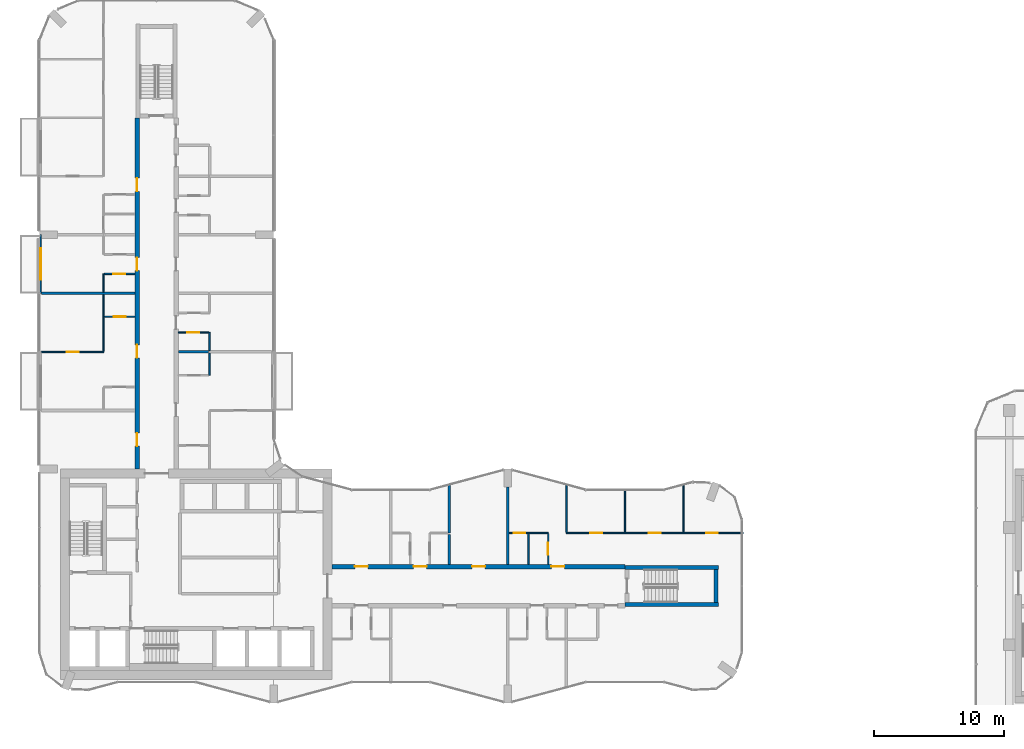
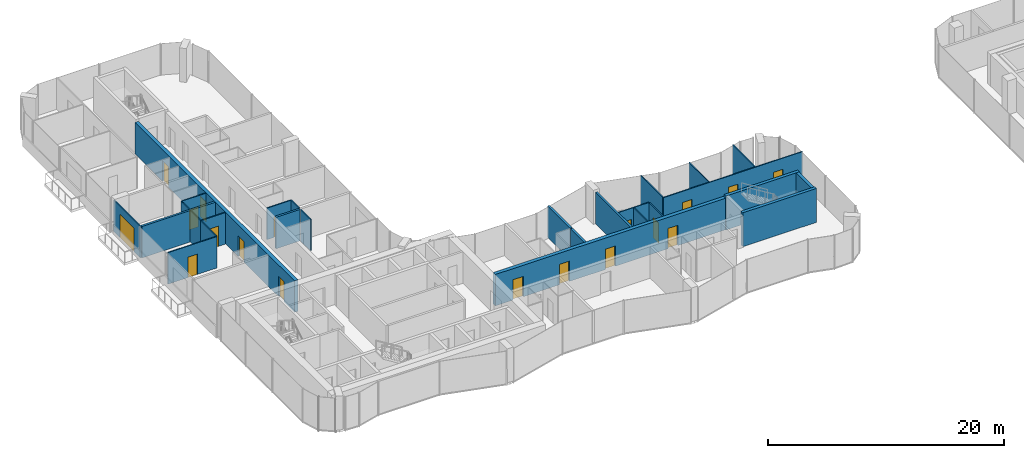
# One storey, part 15 of 22: 27 walls, 18 doors, 18 openings.
"""IFC4 building model written with IfcOpenShell, lengths in metres."""

from ifc_helpers import new_model, si_unit, direction, frame, frame_2d, origin, place, context, subcontext, project, spatial, rectangle, extrude, material, layer, layer_set, type_object, element, fill, save


model = new_model("IFC4")

# Units and contexts
model_context = context("Model", 3, precision=1e-05, world=origin(), true_north=direction((0.0, 1.0)))
body_context = subcontext(model_context, "Body", "Model", "MODEL_VIEW")
ifc_project = project(units=[si_unit("LENGTHUNIT", "METRE"), si_unit("AREAUNIT", "SQUARE_METRE"), si_unit("VOLUMEUNIT", "CUBIC_METRE"), si_unit("PLANEANGLEUNIT", "RADIAN"), si_unit("MASSUNIT", "GRAM", prefix="KILO")], contexts=[model_context])

# Site, building, storey
site_placement = place(None, origin())
site = spatial("IfcSite", under=ifc_project, at=site_placement, CompositionType="ELEMENT")
building_placement = place(site_placement, origin())
building = spatial("IfcBuilding", under=site, at=building_placement, Name="Plateau Cross Towers", CompositionType="ELEMENT")
storey_placement = place(building_placement, frame((0.0, 0.0, 61.800048828125)))
storey = spatial("IfcBuildingStorey", under=building, at=storey_placement, Name="L15", CompositionType="ELEMENT", Elevation=61.800048828125)

# Wall, opening, door
ifc_material_1 = material(Name="Aluminium framed glazing", Category="aluminium")
ifc_layer_1 = layer(ifc_material_1, 0.10009765625)
ifc_layer_set_1 = layer_set([ifc_layer_1], Name="Aluminium framed glazing")
wall_type_1 = type_object("IfcWallType", Name="Balcony screen wall 100", PredefinedType="STANDARD", material=ifc_layer_set_1)
wall_1_placement = place(storey_placement, frame((0.10009765625, 31.5, 0.0), z_axis=(0.0, 0.0, 1.0), x_axis=(0.0, 1.0, 0.0)))
wall_1 = element("IfcWall", 1, at=wall_1_placement, inside=storey, type_object=wall_type_1, Name="Balcony screen wall A-BAL-L15-02", PredefinedType="STANDARD", context=body_context, shape_type="SweptSolid", body=[
    extrude(rectangle(XDim=4.5, YDim=0.10009765625, at=frame_2d((2.25, 0.0))), origin(), (0.0, 0.0, 1.0), 3.25),
])
opening_1_placement = place(wall_1_placement, frame((1.050048828125, 0.0, 0.0)))
opening_1 = element("IfcOpeningElement", 2, at=opening_1_placement, cuts=wall_1, Name="Opening D-B24", PredefinedType="OPENING", context=body_context, shape_type="SweptSolid", body=[
    extrude(rectangle(XDim=2.39990234375, YDim=2.39990234375, at=frame_2d((1.199951171875, 1.199951171875))), frame((0.0, 0.06005859375, 0.0), z_axis=(0.0, -1.0, 0.0), x_axis=(1.0, 0.0, 0.0)), (0.0, 0.0, 1.0), 0.1201171875),
])
ifc_material_2 = material(Name="Aluminium frame, double glazing", Category="aluminium")
door_type_1 = type_object("IfcDoorType", Name="Balcony sliding door 2400", OperationType="NOTDEFINED", PredefinedType="DOOR", material=ifc_material_2)
door_1_placement = place(opening_1_placement, origin())
door_1 = element("IfcDoor", 3, at=door_1_placement, inside=storey, type_object=door_type_1, Name="Balcony door A-BAL-L15-02", OperationType="SINGLE_SWING_LEFT", OverallHeight=2.39990234375, OverallWidth=2.39990234375, PredefinedType="DOOR", context=body_context, shape_type="SweptSolid", body=[
    extrude(rectangle(XDim=2.39990234375, YDim=2.39990234375, at=frame_2d((1.199951171875, 1.199951171875))), frame((0.0, 0.02490234375, 0.0), z_axis=(0.0, -1.0, 0.0), x_axis=(1.0, 0.0, 0.0)), (0.0, 0.0, 1.0), 0.050048828125),
])
fill(opening_1, door_1)

# Wall, openings, doors
ifc_material_3 = material(Name="Concrete C60/75", Category="concrete")
ifc_layer_2 = layer(ifc_material_3, 0.35009765625)
ifc_layer_set_2 = layer_set([ifc_layer_2], Name="Concrete C60/75")
wall_type_2 = type_object("IfcWallType", Name="Corridor wall 350", PredefinedType="SHEAR", material=ifc_layer_set_2)
wall_2_placement = place(storey_placement, frame((22.5, 10.5, 0.0), z_axis=(0.0, 0.0, 1.0), x_axis=(1.0, 0.0, 0.0)))
wall_2 = element("IfcWall", 4, at=wall_2_placement, inside=storey, type_object=wall_type_2, Name="A-cw-S2@L15", PredefinedType="SHEAR", context=body_context, shape_type="SweptSolid", body=[
    extrude(rectangle(XDim=22.5, YDim=0.35009765625, at=frame_2d((11.25, 0.0))), origin(), (0.0, 0.0, 1.0), 3.25),
])
opening_2_placement = place(wall_2_placement, frame((1.75, 0.0, 0.0)))
opening_2 = element("IfcOpeningElement", 5, at=opening_2_placement, cuts=wall_2, Name="Opening 15-06", PredefinedType="OPENING", context=body_context, shape_type="SweptSolid", body=[
    extrude(rectangle(XDim=1.0, YDim=2.10009765625, at=frame_2d((0.5, 1.050048828125))), frame((0.0, 0.18505859375, 0.0), z_axis=(0.0, -1.0, 0.0), x_axis=(1.0, 0.0, 0.0)), (0.0, 0.0, 1.0), 0.3701171875),
])
opening_3_placement = place(wall_2_placement, frame((6.25, 0.0, 0.0)))
opening_3 = element("IfcOpeningElement", 6, at=opening_3_placement, cuts=wall_2, Name="Opening 15-07", PredefinedType="OPENING", context=body_context, shape_type="SweptSolid", body=[
    extrude(rectangle(XDim=1.0, YDim=2.10009765625, at=frame_2d((0.5, 1.050048828125))), frame((0.0, 0.18505859375, 0.0), z_axis=(0.0, -1.0, 0.0), x_axis=(1.0, 0.0, 0.0)), (0.0, 0.0, 1.0), 0.3701171875),
])
opening_4_placement = place(wall_2_placement, frame((10.75, 0.0, 0.0)))
opening_4 = element("IfcOpeningElement", 7, at=opening_4_placement, cuts=wall_2, Name="Opening 15-08", PredefinedType="OPENING", context=body_context, shape_type="SweptSolid", body=[
    extrude(rectangle(XDim=1.0, YDim=2.10009765625, at=frame_2d((0.5, 1.050048828125))), frame((0.0, 0.18505859375, 0.0), z_axis=(0.0, -1.0, 0.0), x_axis=(1.0, 0.0, 0.0)), (0.0, 0.0, 1.0), 0.3701171875),
])
opening_5_placement = place(wall_2_placement, frame((16.85009765625, 0.0, 0.0)))
opening_5 = element("IfcOpeningElement", 8, at=opening_5_placement, cuts=wall_2, Name="Opening 15-09", PredefinedType="OPENING", context=body_context, shape_type="SweptSolid", body=[
    extrude(rectangle(XDim=1.0, YDim=2.10009765625, at=frame_2d((0.5, 1.050048828125))), frame((0.0, 0.18505859375, 0.0), z_axis=(0.0, -1.0, 0.0), x_axis=(1.0, 0.0, 0.0)), (0.0, 0.0, 1.0), 0.3701171875),
])
ifc_material_4 = material(Name="Timber, fire-resisting leaf", Category="wood")
door_type_2 = type_object("IfcDoorType", Name="Flat entrance door 1000", OperationType="NOTDEFINED", PredefinedType="DOOR", material=ifc_material_4)
door_2_placement = place(opening_2_placement, origin())
door_2 = element("IfcDoor", 9, at=door_2_placement, inside=storey, type_object=door_type_2, Name="Door 15-06", OperationType="SINGLE_SWING_LEFT", OverallHeight=2.10009765625, OverallWidth=1.0, PredefinedType="DOOR", context=body_context, shape_type="SweptSolid", body=[
    extrude(rectangle(XDim=1.0, YDim=2.10009765625, at=frame_2d((0.5, 1.050048828125))), frame((0.0, 0.02490234375, 0.0), z_axis=(0.0, -1.0, 0.0), x_axis=(1.0, 0.0, 0.0)), (0.0, 0.0, 1.0), 0.050048828125),
])
fill(opening_2, door_2)
door_3_placement = place(opening_3_placement, origin())
door_3 = element("IfcDoor", 10, at=door_3_placement, inside=storey, type_object=door_type_2, Name="Door 15-07", OperationType="SINGLE_SWING_LEFT", OverallHeight=2.10009765625, OverallWidth=1.0, PredefinedType="DOOR", context=body_context, shape_type="SweptSolid", body=[
    extrude(rectangle(XDim=1.0, YDim=2.10009765625, at=frame_2d((0.5, 1.050048828125))), frame((0.0, 0.02490234375, 0.0), z_axis=(0.0, -1.0, 0.0), x_axis=(1.0, 0.0, 0.0)), (0.0, 0.0, 1.0), 0.050048828125),
])
fill(opening_3, door_3)
door_4_placement = place(opening_4_placement, origin())
door_4 = element("IfcDoor", 11, at=door_4_placement, inside=storey, type_object=door_type_2, Name="Door 15-08", OperationType="SINGLE_SWING_LEFT", OverallHeight=2.10009765625, OverallWidth=1.0, PredefinedType="DOOR", context=body_context, shape_type="SweptSolid", body=[
    extrude(rectangle(XDim=1.0, YDim=2.10009765625, at=frame_2d((0.5, 1.050048828125))), frame((0.0, 0.02490234375, 0.0), z_axis=(0.0, -1.0, 0.0), x_axis=(1.0, 0.0, 0.0)), (0.0, 0.0, 1.0), 0.050048828125),
])
fill(opening_4, door_4)
door_5_placement = place(opening_5_placement, origin())
door_5 = element("IfcDoor", 12, at=door_5_placement, inside=storey, type_object=door_type_2, Name="Door 15-09", OperationType="SINGLE_SWING_RIGHT", OverallHeight=2.10009765625, OverallWidth=1.0, PredefinedType="DOOR", context=body_context, shape_type="SweptSolid", body=[
    extrude(rectangle(XDim=1.0, YDim=2.10009765625, at=frame_2d((0.5, 1.050048828125))), frame((0.0, 0.02490234375, 0.0), z_axis=(0.0, -1.0, 0.0), x_axis=(1.0, 0.0, 0.0)), (0.0, 0.0, 1.0), 0.050048828125),
])
fill(opening_5, door_5)

wall_3_placement = place(storey_placement, frame((7.5, 18.0, 0.0), z_axis=(0.0, 0.0, 1.0), x_axis=(0.0, 1.0, 0.0)))
wall_3 = element("IfcWall", 13, at=wall_3_placement, inside=storey, type_object=wall_type_2, Name="A-cw-W1@L15", PredefinedType="SHEAR", context=body_context, shape_type="SweptSolid", body=[
    extrude(rectangle(XDim=27.0, YDim=0.35009765625, at=frame_2d((13.5, 0.0))), origin(), (0.0, 0.0, 1.0), 3.25),
])
opening_6_placement = place(wall_3_placement, frame((1.75, 0.0, 0.0)))
opening_6 = element("IfcOpeningElement", 14, at=opening_6_placement, cuts=wall_3, Name="Opening 15-10", PredefinedType="OPENING", context=body_context, shape_type="SweptSolid", body=[
    extrude(rectangle(XDim=1.0, YDim=2.10009765625, at=frame_2d((0.5, 1.050048828125))), frame((0.0, 0.18505859375, 0.0), z_axis=(0.0, -1.0, 0.0), x_axis=(1.0, 0.0, 0.0)), (0.0, 0.0, 1.0), 0.3701171875),
])
opening_7_placement = place(wall_3_placement, frame((8.550048828125, 0.0, 0.0)))
opening_7 = element("IfcOpeningElement", 15, at=opening_7_placement, cuts=wall_3, Name="Opening 15-11", PredefinedType="OPENING", context=body_context, shape_type="SweptSolid", body=[
    extrude(rectangle(XDim=1.0, YDim=2.10009765625, at=frame_2d((0.5, 1.050048828125))), frame((0.0, 0.18505859375, 0.0), z_axis=(0.0, -1.0, 0.0), x_axis=(1.0, 0.0, 0.0)), (0.0, 0.0, 1.0), 0.3701171875),
])
opening_8_placement = place(wall_3_placement, frame((15.25, 0.0, 0.0)))
opening_8 = element("IfcOpeningElement", 16, at=opening_8_placement, cuts=wall_3, Name="Opening 15-12", PredefinedType="OPENING", context=body_context, shape_type="SweptSolid", body=[
    extrude(rectangle(XDim=1.0, YDim=2.10009765625, at=frame_2d((0.5, 1.050048828125))), frame((0.0, 0.18505859375, 0.0), z_axis=(0.0, -1.0, 0.0), x_axis=(1.0, 0.0, 0.0)), (0.0, 0.0, 1.0), 0.3701171875),
])
opening_9_placement = place(wall_3_placement, frame((21.35009765625, 0.0, 0.0)))
opening_9 = element("IfcOpeningElement", 17, at=opening_9_placement, cuts=wall_3, Name="Opening 15-13", PredefinedType="OPENING", context=body_context, shape_type="SweptSolid", body=[
    extrude(rectangle(XDim=1.0, YDim=2.10009765625, at=frame_2d((0.5, 1.050048828125))), frame((0.0, 0.18505859375, 0.0), z_axis=(0.0, -1.0, 0.0), x_axis=(1.0, 0.0, 0.0)), (0.0, 0.0, 1.0), 0.3701171875),
])
door_6_placement = place(opening_6_placement, origin())
door_6 = element("IfcDoor", 18, at=door_6_placement, inside=storey, type_object=door_type_2, Name="Door 15-10", OperationType="SINGLE_SWING_LEFT", OverallHeight=2.10009765625, OverallWidth=1.0, PredefinedType="DOOR", context=body_context, shape_type="SweptSolid", body=[
    extrude(rectangle(XDim=1.0, YDim=2.10009765625, at=frame_2d((0.5, 1.050048828125))), frame((0.0, 0.02490234375, 0.0), z_axis=(0.0, -1.0, 0.0), x_axis=(1.0, 0.0, 0.0)), (0.0, 0.0, 1.0), 0.050048828125),
])
fill(opening_6, door_6)
door_7_placement = place(opening_7_placement, origin())
door_7 = element("IfcDoor", 19, at=door_7_placement, inside=storey, type_object=door_type_2, Name="Door 15-11", OperationType="SINGLE_SWING_LEFT", OverallHeight=2.10009765625, OverallWidth=1.0, PredefinedType="DOOR", context=body_context, shape_type="SweptSolid", body=[
    extrude(rectangle(XDim=1.0, YDim=2.10009765625, at=frame_2d((0.5, 1.050048828125))), frame((0.0, 0.02490234375, 0.0), z_axis=(0.0, -1.0, 0.0), x_axis=(1.0, 0.0, 0.0)), (0.0, 0.0, 1.0), 0.050048828125),
])
fill(opening_7, door_7)
door_8_placement = place(opening_8_placement, origin())
door_8 = element("IfcDoor", 20, at=door_8_placement, inside=storey, type_object=door_type_2, Name="Door 15-12", OperationType="SINGLE_SWING_RIGHT", OverallHeight=2.10009765625, OverallWidth=1.0, PredefinedType="DOOR", context=body_context, shape_type="SweptSolid", body=[
    extrude(rectangle(XDim=1.0, YDim=2.10009765625, at=frame_2d((0.5, 1.050048828125))), frame((0.0, 0.02490234375, 0.0), z_axis=(0.0, -1.0, 0.0), x_axis=(1.0, 0.0, 0.0)), (0.0, 0.0, 1.0), 0.050048828125),
])
fill(opening_8, door_8)
door_9_placement = place(opening_9_placement, origin())
door_9 = element("IfcDoor", 21, at=door_9_placement, inside=storey, type_object=door_type_2, Name="Door 15-13", OperationType="SINGLE_SWING_RIGHT", OverallHeight=2.10009765625, OverallWidth=1.0, PredefinedType="DOOR", context=body_context, shape_type="SweptSolid", body=[
    extrude(rectangle(XDim=1.0, YDim=2.10009765625, at=frame_2d((0.5, 1.050048828125))), frame((0.0, 0.02490234375, 0.0), z_axis=(0.0, -1.0, 0.0), x_axis=(1.0, 0.0, 0.0)), (0.0, 0.0, 1.0), 0.050048828125),
])
fill(opening_9, door_9)

# Wall, opening, door
ifc_material_5 = material(Name="Gypsum board on steel studs", Category="steel")
ifc_layer_3 = layer(ifc_material_5, 0.10009765625)
ifc_layer_set_3 = layer_set([ifc_layer_3], Name="Gypsum board on steel studs")
wall_type_3 = type_object("IfcWallType", Name="Flat partition 100", PredefinedType="PARTITIONING", material=ifc_layer_set_3)
wall_4_placement = place(storey_placement, frame((39.10009765625, 13.074951171875, 0.0), z_axis=(0.0, 0.0, 1.0), x_axis=(-1.0, 0.0, 0.0)))
wall_4 = element("IfcWall", 22, at=wall_4_placement, inside=storey, type_object=wall_type_3, Name="Partition wall", PredefinedType="PARTITIONING", context=body_context, shape_type="SweptSolid", body=[
    extrude(rectangle(XDim=3.0, YDim=0.10009765625, at=frame_2d((1.5, 0.0))), origin(), (0.0, 0.0, 1.0), 3.25),
])
opening_10_placement = place(wall_4_placement, frame((1.75, 0.0, 0.0)))
opening_10 = element("IfcOpeningElement", 23, at=opening_10_placement, cuts=wall_4, Name="Opening 15-26", PredefinedType="OPENING", context=body_context, shape_type="SweptSolid", body=[
    extrude(rectangle(XDim=0.89990234375, YDim=2.10009765625, at=frame_2d((0.449951171875, 1.050048828125))), frame((0.0, 0.06005859375, 0.0), z_axis=(0.0, -1.0, 0.0), x_axis=(1.0, 0.0, 0.0)), (0.0, 0.0, 1.0), 0.1201171875),
])
ifc_material_6 = material(Name="Timber leaf", Category="wood")
door_type_3 = type_object("IfcDoorType", Name="Flat room door 900", OperationType="NOTDEFINED", PredefinedType="DOOR", material=ifc_material_6)
door_10_placement = place(opening_10_placement, origin())
door_10 = element("IfcDoor", 24, at=door_10_placement, inside=storey, type_object=door_type_3, Name="Door 15-26", OperationType="SINGLE_SWING_RIGHT", OverallHeight=2.10009765625, OverallWidth=0.89990234375, PredefinedType="DOOR", context=body_context, shape_type="SweptSolid", body=[
    extrude(rectangle(XDim=0.89990234375, YDim=2.10009765625, at=frame_2d((0.449951171875, 1.050048828125))), frame((0.0, 0.02490234375, 0.0), z_axis=(0.0, -1.0, 0.0), x_axis=(1.0, 0.0, 0.0)), (0.0, 0.0, 1.0), 0.050048828125),
])
fill(opening_10, door_10)

# Wall, openings, doors
wall_5_placement = place(storey_placement, frame((40.5, 13.074951171875, 0.0), z_axis=(0.0, 0.0, 1.0), x_axis=(1.0, 0.0, 0.0)))
wall_5 = element("IfcWall", 25, at=wall_5_placement, inside=storey, type_object=wall_type_3, Name="Partition wall", PredefinedType="PARTITIONING", context=body_context, shape_type="SweptSolid", body=[
    extrude(rectangle(XDim=13.580078125, YDim=0.10009765625, at=frame_2d((6.7900390625, 0.0))), origin(), (0.0, 0.0, 1.0), 3.25),
])
opening_11_placement = place(wall_5_placement, frame((1.85009765625, 0.0, 0.0)))
opening_11 = element("IfcOpeningElement", 26, at=opening_11_placement, cuts=wall_5, Name="Opening 15-28", PredefinedType="OPENING", context=body_context, shape_type="SweptSolid", body=[
    extrude(rectangle(XDim=0.89990234375, YDim=2.10009765625, at=frame_2d((0.449951171875, 1.050048828125))), frame((0.0, 0.06005859375, 0.0), z_axis=(0.0, -1.0, 0.0), x_axis=(1.0, 0.0, 0.0)), (0.0, 0.0, 1.0), 0.1201171875),
])
opening_12_placement = place(wall_5_placement, frame((6.35009765625, 0.0, 0.0)))
opening_12 = element("IfcOpeningElement", 27, at=opening_12_placement, cuts=wall_5, Name="Opening 15-29", PredefinedType="OPENING", context=body_context, shape_type="SweptSolid", body=[
    extrude(rectangle(XDim=0.89990234375, YDim=2.10009765625, at=frame_2d((0.449951171875, 1.050048828125))), frame((0.0, 0.06005859375, 0.0), z_axis=(0.0, -1.0, 0.0), x_axis=(1.0, 0.0, 0.0)), (0.0, 0.0, 1.0), 0.1201171875),
])
opening_13_placement = place(wall_5_placement, frame((10.75, 0.0, 0.0)))
opening_13 = element("IfcOpeningElement", 28, at=opening_13_placement, cuts=wall_5, Name="Opening 15-30", PredefinedType="OPENING", context=body_context, shape_type="SweptSolid", body=[
    extrude(rectangle(XDim=0.89990234375, YDim=2.10009765625, at=frame_2d((0.449951171875, 1.050048828125))), frame((0.0, 0.06005859375, 0.0), z_axis=(0.0, -1.0, 0.0), x_axis=(1.0, 0.0, 0.0)), (0.0, 0.0, 1.0), 0.1201171875),
])
door_11_placement = place(opening_11_placement, origin())
door_11 = element("IfcDoor", 29, at=door_11_placement, inside=storey, type_object=door_type_3, Name="Door 15-28", OperationType="SINGLE_SWING_LEFT", OverallHeight=2.10009765625, OverallWidth=0.89990234375, PredefinedType="DOOR", context=body_context, shape_type="SweptSolid", body=[
    extrude(rectangle(XDim=0.89990234375, YDim=2.10009765625, at=frame_2d((0.449951171875, 1.050048828125))), frame((0.0, 0.02490234375, 0.0), z_axis=(0.0, -1.0, 0.0), x_axis=(1.0, 0.0, 0.0)), (0.0, 0.0, 1.0), 0.050048828125),
])
fill(opening_11, door_11)
door_12_placement = place(opening_12_placement, origin())
door_12 = element("IfcDoor", 30, at=door_12_placement, inside=storey, type_object=door_type_3, Name="Door 15-29", OperationType="SINGLE_SWING_RIGHT", OverallHeight=2.10009765625, OverallWidth=0.89990234375, PredefinedType="DOOR", context=body_context, shape_type="SweptSolid", body=[
    extrude(rectangle(XDim=0.89990234375, YDim=2.10009765625, at=frame_2d((0.449951171875, 1.050048828125))), frame((0.0, 0.02490234375, 0.0), z_axis=(0.0, -1.0, 0.0), x_axis=(1.0, 0.0, 0.0)), (0.0, 0.0, 1.0), 0.050048828125),
])
fill(opening_12, door_12)
door_13_placement = place(opening_13_placement, origin())
door_13 = element("IfcDoor", 31, at=door_13_placement, inside=storey, type_object=door_type_3, Name="Door 15-30", OperationType="SINGLE_SWING_RIGHT", OverallHeight=2.10009765625, OverallWidth=0.89990234375, PredefinedType="DOOR", context=body_context, shape_type="SweptSolid", body=[
    extrude(rectangle(XDim=0.89990234375, YDim=2.10009765625, at=frame_2d((0.449951171875, 1.050048828125))), frame((0.0, 0.02490234375, 0.0), z_axis=(0.0, -1.0, 0.0), x_axis=(1.0, 0.0, 0.0)), (0.0, 0.0, 1.0), 0.050048828125),
])
fill(opening_13, door_13)

# Wall, opening, door
wall_6_placement = place(storey_placement, frame((0.14990234375, 27.0, 0.0), z_axis=(0.0, 0.0, 1.0), x_axis=(1.0, 0.0, 0.0)))
wall_6 = element("IfcWall", 32, at=wall_6_placement, inside=storey, type_object=wall_type_3, Name="Partition wall", PredefinedType="PARTITIONING", context=body_context, shape_type="SweptSolid", body=[
    extrude(rectangle(XDim=4.775146484375, YDim=0.10009765625, at=frame_2d((2.3876953125, 0.0))), origin(), (0.0, 0.0, 1.0), 3.25),
])
opening_14_placement = place(wall_6_placement, frame((1.949951171875, 0.0, 0.0)))
opening_14 = element("IfcOpeningElement", 33, at=opening_14_placement, cuts=wall_6, Name="Opening 15-33", PredefinedType="OPENING", context=body_context, shape_type="SweptSolid", body=[
    extrude(rectangle(XDim=0.89990234375, YDim=2.10009765625, at=frame_2d((0.449951171875, 1.050048828125))), frame((0.0, 0.06005859375, 0.0), z_axis=(0.0, -1.0, 0.0), x_axis=(1.0, 0.0, 0.0)), (0.0, 0.0, 1.0), 0.1201171875),
])
door_14_placement = place(opening_14_placement, origin())
door_14 = element("IfcDoor", 34, at=door_14_placement, inside=storey, type_object=door_type_3, Name="Door 15-33", OperationType="SINGLE_SWING_RIGHT", OverallHeight=2.10009765625, OverallWidth=0.89990234375, PredefinedType="DOOR", context=body_context, shape_type="SweptSolid", body=[
    extrude(rectangle(XDim=0.89990234375, YDim=2.10009765625, at=frame_2d((0.449951171875, 1.050048828125))), frame((0.0, 0.02490234375, 0.0), z_axis=(0.0, -1.0, 0.0), x_axis=(1.0, 0.0, 0.0)), (0.0, 0.0, 1.0), 0.050048828125),
])
fill(opening_14, door_14)

wall_7_placement = place(storey_placement, frame((13.02490234375, 28.5, 0.0), z_axis=(0.0, 0.0, 1.0), x_axis=(-1.0, 0.0, 0.0)))
wall_7 = element("IfcWall", 35, at=wall_7_placement, inside=storey, type_object=wall_type_3, Name="Partition wall", PredefinedType="PARTITIONING", context=body_context, shape_type="SweptSolid", body=[
    extrude(rectangle(XDim=2.349853515625, YDim=0.10009765625, at=frame_2d((1.1748046875, 0.0))), origin(), (0.0, 0.0, 1.0), 3.25),
])
opening_15_placement = place(wall_7_placement, frame((0.75, 0.0, 0.0)))
opening_15 = element("IfcOpeningElement", 36, at=opening_15_placement, cuts=wall_7, Name="Opening 15-44", PredefinedType="OPENING", context=body_context, shape_type="SweptSolid", body=[
    extrude(rectangle(XDim=0.89990234375, YDim=2.10009765625, at=frame_2d((0.449951171875, 1.050048828125))), frame((0.0, 0.06005859375, 0.0), z_axis=(0.0, -1.0, 0.0), x_axis=(1.0, 0.0, 0.0)), (0.0, 0.0, 1.0), 0.1201171875),
])
door_15_placement = place(opening_15_placement, origin())
door_15 = element("IfcDoor", 37, at=door_15_placement, inside=storey, type_object=door_type_3, Name="Door 15-44", OperationType="SINGLE_SWING_RIGHT", OverallHeight=2.10009765625, OverallWidth=0.89990234375, PredefinedType="DOOR", context=body_context, shape_type="SweptSolid", body=[
    extrude(rectangle(XDim=0.89990234375, YDim=2.10009765625, at=frame_2d((0.449951171875, 1.050048828125))), frame((0.0, 0.02490234375, 0.0), z_axis=(0.0, -1.0, 0.0), x_axis=(1.0, 0.0, 0.0)), (0.0, 0.0, 1.0), 0.050048828125),
])
fill(opening_15, door_15)

wall_8_placement = place(storey_placement, frame((4.97509765625, 29.699951171875, 0.0), z_axis=(0.0, 0.0, 1.0), x_axis=(1.0, 0.0, 0.0)))
wall_8 = element("IfcWall", 38, at=wall_8_placement, inside=storey, type_object=wall_type_3, Name="Partition wall", PredefinedType="PARTITIONING", context=body_context, shape_type="SweptSolid", body=[
    extrude(rectangle(XDim=2.349853515625, YDim=0.10009765625, at=frame_2d((1.1748046875, 0.0))), origin(), (0.0, 0.0, 1.0), 3.25),
])
opening_16_placement = place(wall_8_placement, frame((0.75, 0.0, 0.0)))
opening_16 = element("IfcOpeningElement", 39, at=opening_16_placement, cuts=wall_8, Name="Opening 15-32", PredefinedType="OPENING", context=body_context, shape_type="SweptSolid", body=[
    extrude(rectangle(XDim=0.89990234375, YDim=2.10009765625, at=frame_2d((0.449951171875, 1.050048828125))), frame((0.0, 0.06005859375, 0.0), z_axis=(0.0, -1.0, 0.0), x_axis=(1.0, 0.0, 0.0)), (0.0, 0.0, 1.0), 0.1201171875),
])
door_16_placement = place(opening_16_placement, origin())
door_16 = element("IfcDoor", 40, at=door_16_placement, inside=storey, type_object=door_type_3, Name="Door 15-32", OperationType="SINGLE_SWING_RIGHT", OverallHeight=2.10009765625, OverallWidth=0.89990234375, PredefinedType="DOOR", context=body_context, shape_type="SweptSolid", body=[
    extrude(rectangle(XDim=0.89990234375, YDim=2.10009765625, at=frame_2d((0.449951171875, 1.050048828125))), frame((0.0, 0.02490234375, 0.0), z_axis=(0.0, -1.0, 0.0), x_axis=(1.0, 0.0, 0.0)), (0.0, 0.0, 1.0), 0.050048828125),
])
fill(opening_16, door_16)

wall_9_placement = place(storey_placement, frame((7.324951171875, 33.0, 0.0), z_axis=(0.0, 0.0, 1.0), x_axis=(-1.0, 0.0, 0.0)))
wall_9 = element("IfcWall", 41, at=wall_9_placement, inside=storey, type_object=wall_type_3, Name="Partition wall", PredefinedType="PARTITIONING", context=body_context, shape_type="SweptSolid", body=[
    extrude(rectangle(XDim=2.349853515625, YDim=0.10009765625, at=frame_2d((1.1748046875, 0.0))), origin(), (0.0, 0.0, 1.0), 3.25),
])
opening_17_placement = place(wall_9_placement, frame((0.75, 0.0, 0.0)))
opening_17 = element("IfcOpeningElement", 42, at=opening_17_placement, cuts=wall_9, Name="Opening 15-34", PredefinedType="OPENING", context=body_context, shape_type="SweptSolid", body=[
    extrude(rectangle(XDim=0.89990234375, YDim=2.10009765625, at=frame_2d((0.449951171875, 1.050048828125))), frame((0.0, 0.06005859375, 0.0), z_axis=(0.0, -1.0, 0.0), x_axis=(1.0, 0.0, 0.0)), (0.0, 0.0, 1.0), 0.1201171875),
])
door_17_placement = place(opening_17_placement, origin())
door_17 = element("IfcDoor", 43, at=door_17_placement, inside=storey, type_object=door_type_3, Name="Door 15-34", OperationType="SINGLE_SWING_RIGHT", OverallHeight=2.10009765625, OverallWidth=0.89990234375, PredefinedType="DOOR", context=body_context, shape_type="SweptSolid", body=[
    extrude(rectangle(XDim=0.89990234375, YDim=2.10009765625, at=frame_2d((0.449951171875, 1.050048828125))), frame((0.0, 0.02490234375, 0.0), z_axis=(0.0, -1.0, 0.0), x_axis=(1.0, 0.0, 0.0)), (0.0, 0.0, 1.0), 0.050048828125),
])
fill(opening_17, door_17)

# Walls
wall_10_placement = place(storey_placement, frame((4.925048828125, 31.39990234375, 0.0), z_axis=(0.0, 0.0, 1.0), x_axis=(0.0, -1.0, 0.0)))
element("IfcWall", 44, at=wall_10_placement, inside=storey, type_object=wall_type_3, Name="Partition wall", PredefinedType="PARTITIONING", context=body_context, shape_type="SweptSolid", body=[
    extrude(rectangle(XDim=1.699951171875, YDim=0.10009765625, at=frame_2d((0.85009765625, 0.0))), origin(), (0.0, 0.0, 1.0), 3.25),
])
wall_11_placement = place(storey_placement, frame((4.925048828125, 33.0, 0.0), z_axis=(0.0, 0.0, 1.0), x_axis=(0.0, -1.0, 0.0)))
element("IfcWall", 45, at=wall_11_placement, inside=storey, type_object=wall_type_3, Name="Partition wall", PredefinedType="PARTITIONING", context=body_context, shape_type="SweptSolid", body=[
    extrude(rectangle(XDim=1.39990234375, YDim=0.10009765625, at=frame_2d((0.699951171875, 0.0))), origin(), (0.0, 0.0, 1.0), 3.25),
])
wall_12_placement = place(storey_placement, frame((4.925048828125, 27.050048828125, 0.0), z_axis=(0.0, 0.0, 1.0), x_axis=(0.0, 1.0, 0.0)))
element("IfcWall", 46, at=wall_12_placement, inside=storey, type_object=wall_type_3, Name="Partition wall", PredefinedType="PARTITIONING", context=body_context, shape_type="SweptSolid", body=[
    extrude(rectangle(XDim=2.599853515625, YDim=0.10009765625, at=frame_2d((1.2998046875, 0.0))), origin(), (0.0, 0.0, 1.0), 3.25),
])
wall_13_placement = place(storey_placement, frame((13.074951171875, 25.199951171875, 0.0), z_axis=(0.0, 0.0, 1.0), x_axis=(0.0, 1.0, 0.0)))
element("IfcWall", 47, at=wall_13_placement, inside=storey, type_object=wall_type_3, Name="Partition wall", PredefinedType="PARTITIONING", context=body_context, shape_type="SweptSolid", body=[
    extrude(rectangle(XDim=1.699951171875, YDim=0.10009765625, at=frame_2d((0.85009765625, 0.0))), origin(), (0.0, 0.0, 1.0), 3.25),
])
wall_14_placement = place(storey_placement, frame((13.074951171875, 27.10009765625, 0.0), z_axis=(0.0, 0.0, 1.0), x_axis=(0.0, 1.0, 0.0)))
element("IfcWall", 48, at=wall_14_placement, inside=storey, type_object=wall_type_3, Name="Partition wall", PredefinedType="PARTITIONING", context=body_context, shape_type="SweptSolid", body=[
    extrude(rectangle(XDim=1.39990234375, YDim=0.10009765625, at=frame_2d((0.699951171875, 0.0))), origin(), (0.0, 0.0, 1.0), 3.25),
])
wall_15_placement = place(storey_placement, frame((37.60009765625, 10.675048828125, 0.0), z_axis=(0.0, 0.0, 1.0), x_axis=(0.0, 1.0, 0.0)))
element("IfcWall", 49, at=wall_15_placement, inside=storey, type_object=wall_type_3, Name="Partition wall", PredefinedType="PARTITIONING", context=body_context, shape_type="SweptSolid", body=[
    extrude(rectangle(XDim=2.349853515625, YDim=0.10009765625, at=frame_2d((1.1748046875, 0.0))), origin(), (0.0, 0.0, 1.0), 3.25),
])

# Wall, opening, door
wall_16_placement = place(storey_placement, frame((39.10009765625, 10.675048828125, 0.0), z_axis=(0.0, 0.0, 1.0), x_axis=(0.0, 1.0, 0.0)))
wall_16 = element("IfcWall", 50, at=wall_16_placement, inside=storey, type_object=wall_type_3, Name="Partition wall", PredefinedType="PARTITIONING", context=body_context, shape_type="SweptSolid", body=[
    extrude(rectangle(XDim=2.349853515625, YDim=0.10009765625, at=frame_2d((1.1748046875, 0.0))), origin(), (0.0, 0.0, 1.0), 3.25),
])
opening_18_placement = place(wall_16_placement, frame((0.75, 0.0, 0.0)))
opening_18 = element("IfcOpeningElement", 51, at=opening_18_placement, cuts=wall_16, Name="Opening 15-27", PredefinedType="OPENING", context=body_context, shape_type="SweptSolid", body=[
    extrude(rectangle(XDim=0.89990234375, YDim=2.10009765625, at=frame_2d((0.449951171875, 1.050048828125))), frame((0.0, 0.06005859375, 0.0), z_axis=(0.0, -1.0, 0.0), x_axis=(1.0, 0.0, 0.0)), (0.0, 0.0, 1.0), 0.1201171875),
])
door_18_placement = place(opening_18_placement, origin())
door_18 = element("IfcDoor", 52, at=door_18_placement, inside=storey, type_object=door_type_3, Name="Door 15-27", OperationType="SINGLE_SWING_RIGHT", OverallHeight=2.10009765625, OverallWidth=0.89990234375, PredefinedType="DOOR", context=body_context, shape_type="SweptSolid", body=[
    extrude(rectangle(XDim=0.89990234375, YDim=2.10009765625, at=frame_2d((0.449951171875, 1.050048828125))), frame((0.0, 0.02490234375, 0.0), z_axis=(0.0, -1.0, 0.0), x_axis=(1.0, 0.0, 0.0)), (0.0, 0.0, 1.0), 0.050048828125),
])
fill(opening_18, door_18)

# Walls
wall_17_placement = place(storey_placement, frame((40.5, 16.877685546875, 0.0), z_axis=(0.0, 0.0, 1.0), x_axis=(0.0, -1.0, 0.0)))
element("IfcWall", 53, at=wall_17_placement, inside=storey, type_object=wall_type_3, Name="Partition wall", PredefinedType="PARTITIONING", context=body_context, shape_type="SweptSolid", body=[
    extrude(rectangle(XDim=3.752685546875, YDim=0.10009765625, at=frame_2d((1.87646484375, 0.0))), origin(), (0.0, 0.0, 1.0), 3.25),
])
wall_18_placement = place(storey_placement, frame((45.0, 13.125, 0.0), z_axis=(0.0, 0.0, 1.0), x_axis=(0.0, 1.0, 0.0)))
element("IfcWall", 54, at=wall_18_placement, inside=storey, type_object=wall_type_3, Name="Partition wall", PredefinedType="PARTITIONING", context=body_context, shape_type="SweptSolid", body=[
    extrude(rectangle(XDim=3.34814453125, YDim=0.10009765625, at=frame_2d((1.674072265625, 0.0))), origin(), (0.0, 0.0, 1.0), 3.25),
])
wall_19_placement = place(storey_placement, frame((49.5, 13.125, 0.0), z_axis=(0.0, 0.0, 1.0), x_axis=(0.0, 1.0, 0.0)))
element("IfcWall", 55, at=wall_19_placement, inside=storey, type_object=wall_type_3, Name="Partition wall", PredefinedType="PARTITIONING", context=body_context, shape_type="SweptSolid", body=[
    extrude(rectangle(XDim=3.752685546875, YDim=0.10009765625, at=frame_2d((1.87646484375, 0.0))), origin(), (0.0, 0.0, 1.0), 3.25),
])
ifc_material_7 = material(Name="Gypsum board on steel studs, two layers each side", Category="steel")
ifc_layer_4 = layer(ifc_material_7, 0.199951171875)
ifc_layer_set_4 = layer_set([ifc_layer_4], Name="Gypsum board on steel studs, two layers each side")
wall_type_4 = type_object("IfcWallType", Name="Flat party wall 200", PredefinedType="PARTITIONING", material=ifc_layer_set_4)
wall_20_placement = place(storey_placement, frame((12.97509765625, 27.0, 0.0), z_axis=(0.0, 0.0, 1.0), x_axis=(-1.0, 0.0, 0.0)))
element("IfcWall", 56, at=wall_20_placement, inside=storey, type_object=wall_type_4, Name="Party wall", PredefinedType="PARTITIONING", context=body_context, shape_type="SweptSolid", body=[
    extrude(rectangle(XDim=2.300048828125, YDim=0.199951171875, at=frame_2d((1.14990234375, 0.0))), origin(), (0.0, 0.0, 1.0), 3.25),
])
wall_21_placement = place(storey_placement, frame((7.324951171875, 31.5, 0.0), z_axis=(0.0, 0.0, 1.0), x_axis=(-1.0, 0.0, 0.0)))
element("IfcWall", 57, at=wall_21_placement, inside=storey, type_object=wall_type_4, Name="Party wall", PredefinedType="PARTITIONING", context=body_context, shape_type="SweptSolid", body=[
    extrude(rectangle(XDim=7.175048828125, YDim=0.199951171875, at=frame_2d((3.58740234375, 0.0))), origin(), (0.0, 0.0, 1.0), 3.25),
])
wall_22_placement = place(storey_placement, frame((31.5, 16.877685546875, 0.0), z_axis=(0.0, 0.0, 1.0), x_axis=(0.0, -1.0, 0.0)))
element("IfcWall", 58, at=wall_22_placement, inside=storey, type_object=wall_type_4, Name="Party wall", PredefinedType="PARTITIONING", context=body_context, shape_type="SweptSolid", body=[
    extrude(rectangle(XDim=3.802734375, YDim=0.199951171875, at=frame_2d((1.9013671875, 0.0))), origin(), (0.0, 0.0, 1.0), 3.25),
])
wall_23_placement = place(storey_placement, frame((31.5, 10.675048828125, 0.0), z_axis=(0.0, 0.0, 1.0), x_axis=(0.0, 1.0, 0.0)))
element("IfcWall", 59, at=wall_23_placement, inside=storey, type_object=wall_type_4, Name="Party wall", PredefinedType="PARTITIONING", context=body_context, shape_type="SweptSolid", body=[
    extrude(rectangle(XDim=2.300048828125, YDim=0.199951171875, at=frame_2d((1.14990234375, 0.0))), origin(), (0.0, 0.0, 1.0), 3.25),
])
wall_24_placement = place(storey_placement, frame((36.0, 10.675048828125, 0.0), z_axis=(0.0, 0.0, 1.0), x_axis=(0.0, 1.0, 0.0)))
element("IfcWall", 60, at=wall_24_placement, inside=storey, type_object=wall_type_4, Name="Party wall", PredefinedType="PARTITIONING", context=body_context, shape_type="SweptSolid", body=[
    extrude(rectangle(XDim=5.925048828125, YDim=0.199951171875, at=frame_2d((2.96240234375, 0.0))), origin(), (0.0, 0.0, 1.0), 3.25),
])
ifc_layer_5 = layer(ifc_material_3, 0.300048828125)
ifc_layer_set_5 = layer_set([ifc_layer_5], Name="Concrete C60/75")
wall_type_5 = type_object("IfcWallType", Name="Stair tower wall 300", PredefinedType="SHEAR", material=ifc_layer_set_5)
wall_25_placement = place(storey_placement, frame((52.0, 7.72509765625, 0.0), z_axis=(0.0, 0.0, 1.0), x_axis=(0.0, 1.0, 0.0)))
element("IfcWall", 61, at=wall_25_placement, inside=storey, type_object=wall_type_5, Name="A-end-E-E@L15", PredefinedType="SHEAR", context=body_context, shape_type="SweptSolid", body=[
    extrude(rectangle(XDim=2.5498046875, YDim=0.300048828125, at=frame_2d((1.27490234375, 0.0))), origin(), (0.0, 0.0, 1.0), 3.5),
])
for number, where, z_axis, x_axis, name in (
    (62, (45.0, 7.574951171875, 0.0), (0.0, 0.0, 1.0), (1.0, 0.0, 0.0), "A-end-E-S@L15"),
    (63, (45.0, 10.425048828125, 0.0), (0.0, 0.0, 1.0), (1.0, 0.0, 0.0), "A-end-E-N@L15"),
):
    element("IfcWall", number, at=place(storey_placement, frame(where, z_axis=z_axis, x_axis=x_axis)), inside=storey, type_object=wall_type_5, Name=name, PredefinedType="SHEAR", context=body_context, shape_type="SweptSolid", body=[
        extrude(rectangle(XDim=7.199951171875, YDim=0.300048828125, at=frame_2d((3.60009765625, 0.0))), origin(), (0.0, 0.0, 1.0), 3.5),
    ])

save(model, "model.ifc")
